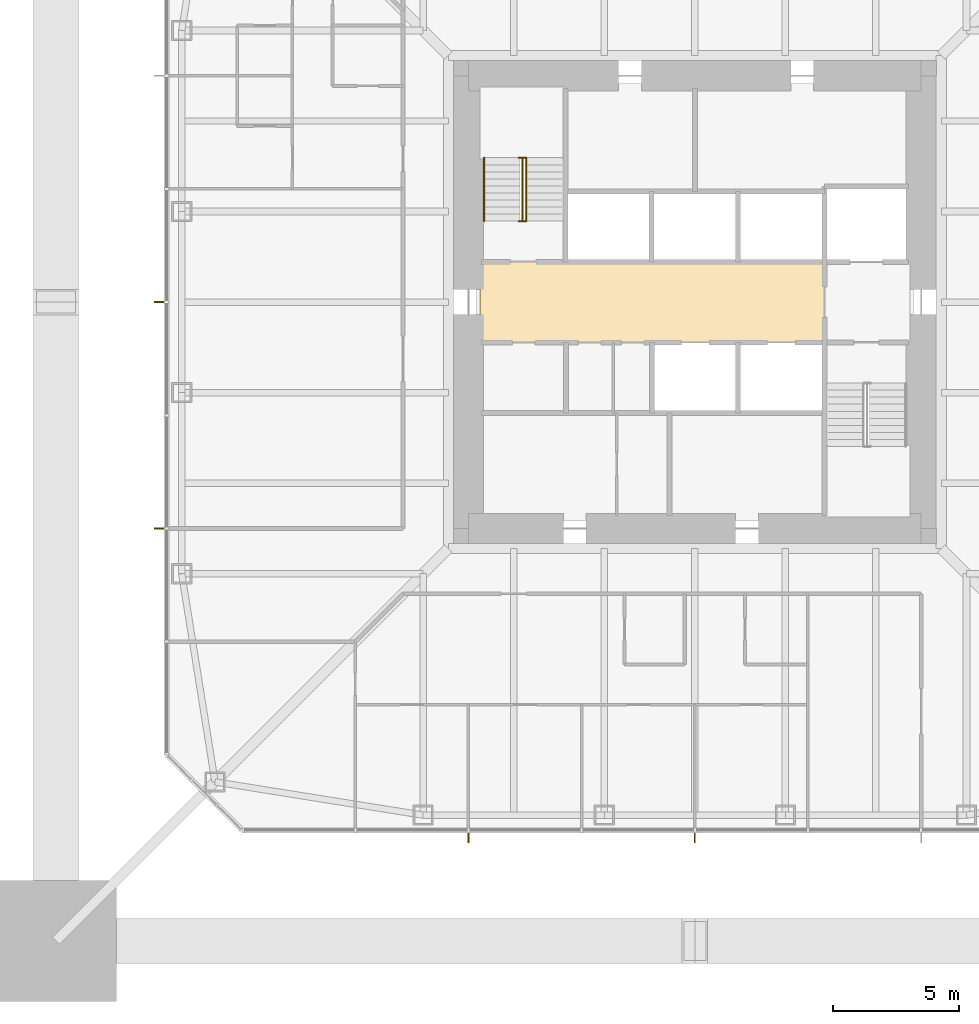
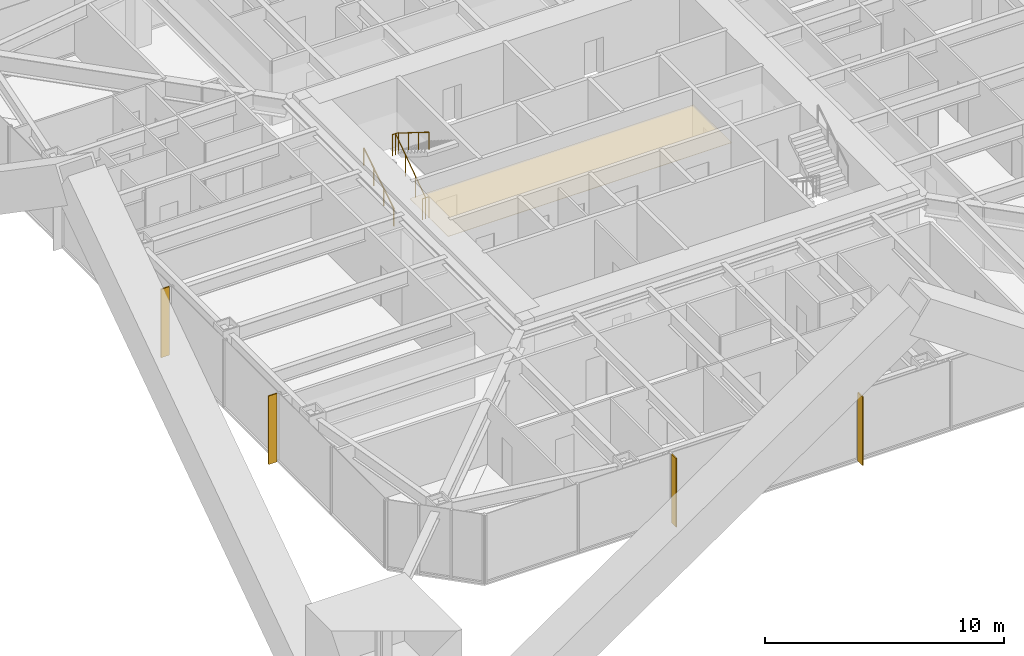
# One storey, part 22 of 26: 4 shading devices, 3 railings, 1 covering.
"""IFC4 building model written with IfcOpenShell, lengths in metres."""

from ifc_helpers import new_model, si_unit, direction, frame, origin, origin_2d, place, context, subcontext, project, spatial, polyline, rectangle, circle, outline, extrude, material, layer, layer_set, constituent, constituent_set, type_object, element, save


model = new_model("IFC4")

# Units and contexts
model_context = context("Model", 3, precision=1e-05, world=origin(), true_north=direction((0.0, 1.0)))
body_context = subcontext(model_context, "Body", "Model", "MODEL_VIEW")
ifc_project = project(units=[si_unit("LENGTHUNIT", "METRE"), si_unit("AREAUNIT", "SQUARE_METRE"), si_unit("VOLUMEUNIT", "CUBIC_METRE"), si_unit("PLANEANGLEUNIT", "RADIAN"), si_unit("MASSUNIT", "GRAM", prefix="KILO")], contexts=[model_context])

# Site, building, storey
site_placement = place(None, origin())
site = spatial("IfcSite", under=ifc_project, at=site_placement, CompositionType="ELEMENT")
building_placement = place(site_placement, origin())
building = spatial("IfcBuilding", under=site, at=building_placement, Name="Iwan Alto Co-Living Towers", CompositionType="ELEMENT")
storey_placement = place(building_placement, frame((0.0, 0.0, 115.5)))
storey = spatial("IfcBuildingStorey", under=building, at=storey_placement, Name="L31", CompositionType="ELEMENT", Elevation=115.5)

# Covering
ifc_material_1 = material(Name="Mineral fibre acoustic tiles on steel grid", Category="steel")
ifc_layer_1 = layer(ifc_material_1, 0.02001953125)
ifc_layer_set_1 = layer_set([ifc_layer_1], Name="ACOUSTIC TILE CEILING 20")
covering_type = type_object("IfcCoveringType", Name="ACOUSTIC TILE CEILING 20", PredefinedType="CEILING", material=ifc_layer_set_1)
covering_placement = place(storey_placement, frame((0.0, 0.0, 2.60009765625)))
element("IfcCovering", 1, at=covering_placement, inside=storey, type_object=covering_type, Name="Ceiling Lift lobby L31", PredefinedType="CEILING", context=body_context, shape_type="SweptSolid", body=[
    extrude(outline(polyline([(-8.550048828125, -1.60009765625), (-8.550048828125, 1.60009765625), (5.14990234375, 1.60009765625), (5.14990234375, -1.60009765625), (-8.550048828125, -1.60009765625)])), origin(), (0.0, 0.0, 1.0), 0.02001953125),
])

# Shading devices
ifc_material_2 = material(Name="Aluminium 6063-T6 bronze anodised", Category="aluminium")
ifc_layer_2 = layer(ifc_material_2, 0.050048828125)
ifc_layer_set_2 = layer_set([ifc_layer_2], Name="BRONZE FIN 50X400")
shading_device_type = type_object("IfcShadingDeviceType", Name="BRONZE FIN 50X400", PredefinedType="USERDEFINED", material=ifc_layer_set_2)
for number, where, z_axis, x_axis, name in (
    (2, (-9.0, -21.300048828125, 0.0), (0.0, 0.0, 1.0), (1.0, 0.0, 0.0), "Bronze fin L31"),
    (3, (0.0, -21.300048828125, 0.0), (0.0, 0.0, 1.0), (1.0, 0.0, 0.0), "Bronze fin L31"),
    (4, (-21.300048828125, 0.0, 0.0), (0.0, 0.0, 1.0), (0.0, -1.0, 0.0), "Bronze fin L31"),
    (5, (-21.300048828125, -9.0, 0.0), (0.0, 0.0, 1.0), (0.0, -1.0, 0.0), "Bronze fin L31"),
):
    element("IfcShadingDevice", number, at=place(storey_placement, frame(where, z_axis=z_axis, x_axis=x_axis)), inside=storey, type_object=shading_device_type, Name=name, ObjectType="LOUVER", PredefinedType="USERDEFINED", context=body_context, shape_type="SweptSolid", body=[
        extrude(rectangle(XDim=0.050048828125, YDim=0.39990234375, at=origin_2d()), origin(), (0.0, 0.0, 1.0), 3.5),
    ])

# Railings
ifc_material_3 = material(Name="Steel ASTM A500 Gr C", Category="steel")
ifc_constituent_1 = constituent(ifc_material_3, Name="Rails and posts", Category="Framing")
ifc_material_4 = material(Name="Steel ASTM A36", Category="steel")
ifc_constituent_2 = constituent(ifc_material_4, Name="Bar infill", Category="Infill")
ifc_constituent_set = constituent_set(constituents=[ifc_constituent_1, ifc_constituent_2], Name="STAIR GUARD 1100")
railing_type_1 = type_object("IfcRailingType", Name="STAIR GUARD 1100", PredefinedType="GUARDRAIL", material=ifc_constituent_set)
railing_1_placement = place(storey_placement, frame((-6.85009765625, 3.219970703125, 0.0)))
element("IfcRailing", 6, at=railing_1_placement, inside=storey, type_object=railing_type_1, Name="Stair T1-S1 well guard L31", PredefinedType="GUARDRAIL", context=body_context, shape_type="SweptSolid", body=[
    extrude(circle(Radius=0.02392578125, at=origin_2d()), frame((0.0, 0.0, 1.076171875), z_axis=(0.0, 0.821372036852, 0.570392826987), x_axis=(-1.0, 0.0, 0.0)), (0.0, 0.0, 1.0), 3.068115234375),
    extrude(circle(Radius=0.02392578125, at=origin_2d()), frame((-0.14990234375, 0.0, 1.076171875), z_axis=(1.0, 0.0, 0.0), x_axis=(0.0, 1.0, 0.0)), (0.0, 0.0, 1.0), 0.300048828125),
    extrude(circle(Radius=0.02392578125, at=origin_2d()), frame((-0.14990234375, 2.52001953125, 2.826171875), z_axis=(1.0, 0.0, 0.0), x_axis=(0.0, 1.0, 0.0)), (0.0, 0.0, 1.0), 0.300048828125),
    extrude(circle(Radius=0.02099609375, at=origin_2d()), origin(), (0.0, 0.0, 1.0), 1.052001953125),
    extrude(circle(Radius=0.02099609375, at=origin_2d()), frame((0.0, 0.840087890625, 0.583251953125)), (0.0, 0.0, 1.0), 1.052001953125),
    extrude(circle(Radius=0.02099609375, at=origin_2d()), frame((0.0, 1.679931640625, 1.166748046875)), (0.0, 0.0, 1.0), 1.052001953125),
    extrude(circle(Radius=0.02099609375, at=origin_2d()), frame((0.0, 2.52001953125, 1.75)), (0.0, 0.0, 1.0), 1.052001953125),
    extrude(circle(Radius=0.02099609375, at=origin_2d()), frame((-0.14990234375, 0.0, 0.0)), (0.0, 0.0, 1.0), 1.052001953125),
    extrude(circle(Radius=0.02099609375, at=origin_2d()), frame((0.150146484375, 0.0, 0.0)), (0.0, 0.0, 1.0), 1.052001953125),
    extrude(circle(Radius=0.02099609375, at=origin_2d()), frame((-0.14990234375, 2.52001953125, 1.75)), (0.0, 0.0, 1.0), 1.052001953125),
    extrude(circle(Radius=0.02099609375, at=origin_2d()), frame((0.150146484375, 2.52001953125, 1.75)), (0.0, 0.0, 1.0), 1.052001953125),
])
ifc_material_5 = material(Name="Steel ASTM A500 Gr C", Category="steel")
railing_type_2 = type_object("IfcRailingType", Name="STAIR HANDRAIL 900", PredefinedType="HANDRAIL", material=ifc_material_5)
railing_2_placement = place(storey_placement, frame((-8.3798828125, 3.219970703125, 0.175048828125)))
element("IfcRailing", 7, at=railing_2_placement, inside=storey, type_object=railing_type_2, Name="Stair T1-S1 handrail 1 L31", PredefinedType="HANDRAIL", context=body_context, shape_type="SweptSolid", body=[
    extrude(circle(Radius=0.02392578125, at=origin_2d()), frame((0.0, 0.0, 0.8759765625), z_axis=(0.0, 0.848007534815, 0.529984170421), x_axis=(-1.0, 0.0, 0.0)), (0.0, 0.0, 1.0), 2.9716796875),
    extrude(circle(Radius=0.02099609375, at=origin_2d()), origin(), (0.0, 0.0, 1.0), 0.851806640625),
    extrude(circle(Radius=0.02099609375, at=origin_2d()), frame((0.0, 0.840087890625, 0.52490234375)), (0.0, 0.0, 1.0), 0.851806640625),
    extrude(circle(Radius=0.02099609375, at=origin_2d()), frame((0.0, 1.679931640625, 1.050048828125)), (0.0, 0.0, 1.0), 0.851806640625),
    extrude(circle(Radius=0.02099609375, at=origin_2d()), frame((0.0, 2.52001953125, 1.574951171875)), (0.0, 0.0, 1.0), 0.851806640625),
])
railing_3_placement = place(storey_placement, frame((-6.699951171875, 5.739990234375, 1.925048828125)))
element("IfcRailing", 8, at=railing_3_placement, inside=storey, type_object=railing_type_2, Name="Stair T1-S1 handrail 2 L31", PredefinedType="HANDRAIL", context=body_context, shape_type="SweptSolid", body=[
    extrude(circle(Radius=0.02392578125, at=origin_2d()), frame((0.0, 0.0, 0.8759765625), z_axis=(0.0, -0.848007534815, 0.529984170421), x_axis=(1.0, 0.0, 0.0)), (0.0, 0.0, 1.0), 2.9716796875),
    extrude(circle(Radius=0.02099609375, at=origin_2d()), origin(), (0.0, 0.0, 1.0), 0.851806640625),
    extrude(circle(Radius=0.02099609375, at=origin_2d()), frame((0.0, -0.840087890625, 0.52490234375)), (0.0, 0.0, 1.0), 0.851806640625),
    extrude(circle(Radius=0.02099609375, at=origin_2d()), frame((0.0, -1.679931640625, 1.050048828125)), (0.0, 0.0, 1.0), 0.851806640625),
    extrude(circle(Radius=0.02099609375, at=origin_2d()), frame((0.0, -2.52001953125, 1.574951171875)), (0.0, 0.0, 1.0), 0.851806640625),
])

save(model, "model.ifc")
